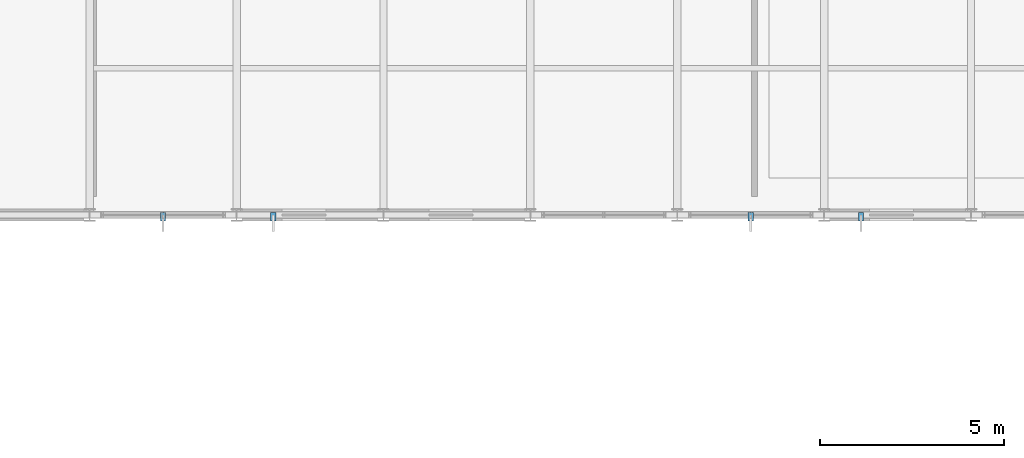
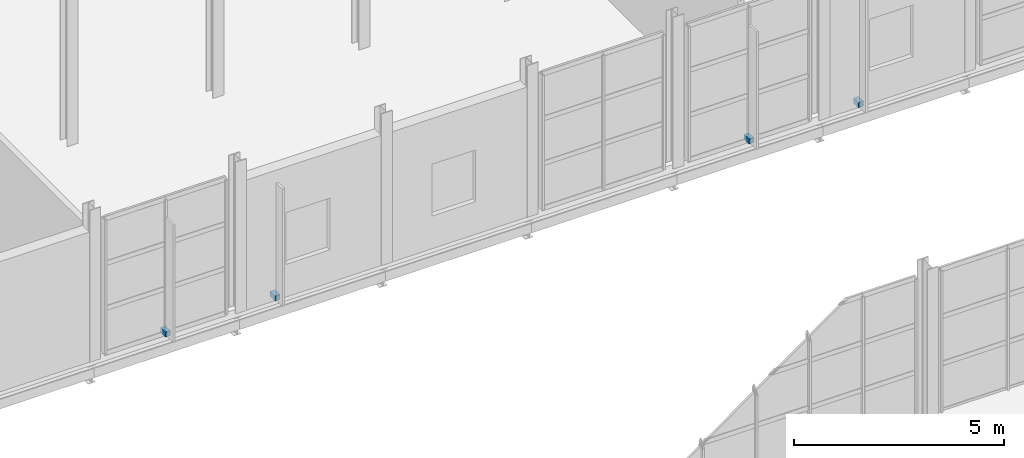
# One storey, part 144 of 153: 4 discrete accessories.
"""IFC4 building model written with IfcOpenShell, lengths in metres."""

from ifc_helpers import new_model, si_unit, derived_unit, direction, frame, origin, origin_2d, place, context, subcontext, project, spatial, rectangle, extrude, material, type_object, element, save


model = new_model("IFC4")

# Units and contexts
model_context = context("Model", 3, precision=1e-05, world=origin(), true_north=direction((0.0, 1.0)))
body_context = subcontext(model_context, "Body", "Model", "MODEL_VIEW")
ifc_project = project(units=[si_unit("LENGTHUNIT", "METRE"), si_unit("AREAUNIT", "SQUARE_METRE"), si_unit("VOLUMEUNIT", "CUBIC_METRE"), si_unit("PLANEANGLEUNIT", "RADIAN"), si_unit("MASSUNIT", "GRAM", prefix="KILO"), derived_unit("THERMALTRANSMITTANCEUNIT", [(si_unit("POWERUNIT", "WATT"), 1), (si_unit("LENGTHUNIT", "METRE"), -2), (si_unit("THERMODYNAMICTEMPERATUREUNIT", "KELVIN"), -1)])], contexts=[model_context])

# Site, building, storey
site_placement = place(None, origin())
site = spatial("IfcSite", under=ifc_project, at=site_placement, CompositionType="ELEMENT")
building_placement = place(site_placement, origin())
building = spatial("IfcBuilding", under=site, at=building_placement, Name="Keldorne Ridge Multi-Sports Centre", CompositionType="ELEMENT")
storey_placement = place(building_placement, frame((0.0, 0.0, 9.60009765625)))
storey = spatial("IfcBuildingStorey", under=building, at=storey_placement, Name="L02", CompositionType="ELEMENT", Elevation=9.60009765625)

# Discrete accessories
ifc_material = material(Name="Galvanized steel", Category="steel")
discrete_accessory_type = type_object("IfcDiscreteAccessoryType", Name="ACC-BK-01", PredefinedType="BRACKET", material=ifc_material)
for number, where, z_axis, x_axis, name in (
    (1, (122.0, 65.949951171875, 0.0), (0.0, 0.0, 1.0), (1.0, 0.0, 0.0), "Solar fin bracket BK-05"),
    (2, (125.0, 65.949951171875, 0.0), (0.0, 0.0, 1.0), (1.0, 0.0, 0.0), "Solar fin bracket BK-06"),
    (3, (138.0, 65.949951171875, 0.0), (0.0, 0.0, 1.0), (1.0, 0.0, 0.0), "Solar fin bracket BK-07"),
    (4, (141.0, 65.949951171875, 0.0), (0.0, 0.0, 1.0), (1.0, 0.0, 0.0), "Solar fin bracket BK-08"),
):
    element("IfcDiscreteAccessory", number, at=place(storey_placement, frame(where, z_axis=z_axis, x_axis=x_axis)), inside=storey, type_object=discrete_accessory_type, Name=name, PredefinedType="BRACKET", context=body_context, shape_type="SweptSolid", body=[
        extrude(rectangle(XDim=0.139892578125, YDim=0.239990234375, at=origin_2d()), origin(), (0.0, 0.0, 1.0), 0.139892578125),
    ])

save(model, "model.ifc")
